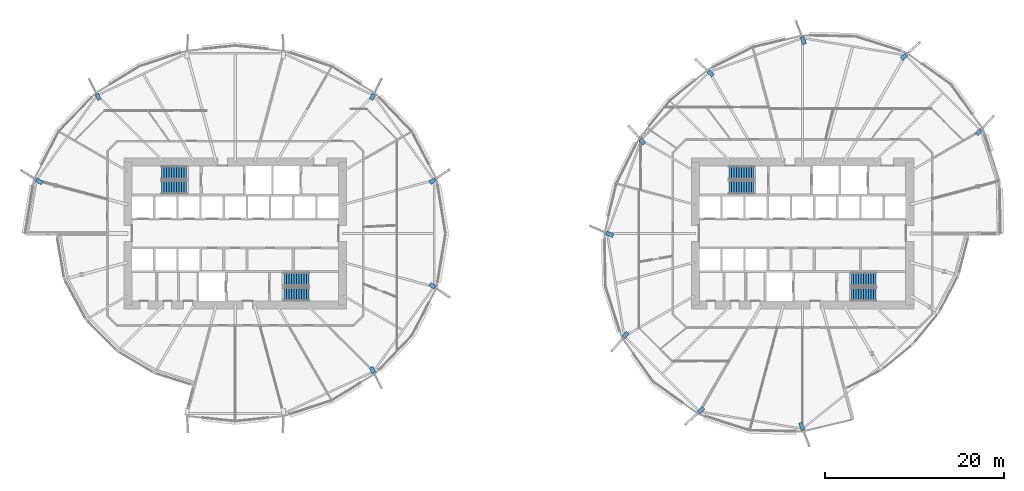
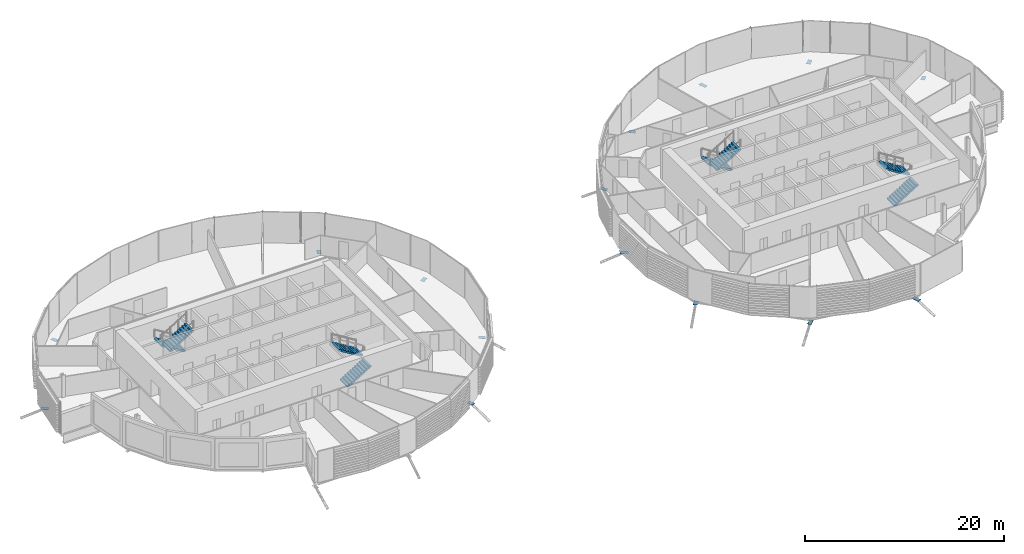
# One storey, part 26 of 38: 15 discrete accessories, 8 stair flights, 4 elements without a shape of their own.
"""IFC4 building model written with IfcOpenShell, lengths in metres."""

from ifc_helpers import new_model, si_unit, direction, frame, origin, origin_2d, place, context, subcontext, project, spatial, polyline, rectangle, outline, extrude, material, material_profile, profile_set, type_object, element, aggregate, save


model = new_model("IFC4")

# Units and contexts
model_context = context("Model", 3, precision=1e-05, world=origin(), true_north=direction((0.0, 1.0)))
body_context = subcontext(model_context, "Body", "Model", "MODEL_VIEW")
ifc_project = project(units=[si_unit("LENGTHUNIT", "METRE"), si_unit("AREAUNIT", "SQUARE_METRE"), si_unit("VOLUMEUNIT", "CUBIC_METRE"), si_unit("PLANEANGLEUNIT", "RADIAN"), si_unit("MASSUNIT", "GRAM", prefix="KILO")], contexts=[model_context])

# Site, building, storey
site_placement = place(None, origin())
site = spatial("IfcSite", under=ifc_project, at=site_placement, CompositionType="ELEMENT")
building_placement = place(site_placement, origin())
building = spatial("IfcBuilding", under=site, at=building_placement, Name="Rimbun Link Towers", CompositionType="ELEMENT")
storey_placement = place(building_placement, frame((0.0, 0.0, 68.0)))
storey = spatial("IfcBuildingStorey", under=building, at=storey_placement, Name="L16", CompositionType="ELEMENT", Elevation=68.0)

# Stair, stair flights
ifc_material_1 = material(Name="Concrete C40/50", Category="concrete")
stair_type = type_object("IfcStairType", Name="Exit stair 3800 rise", PredefinedType="HALF_TURN_STAIR", material=ifc_material_1)
stair_1_placement = place(storey_placement, origin())
stair_1 = element("IfcStair", 1, at=stair_1_placement, inside=storey, type_object=stair_type, Name="L16 EXIT STAIR A", PredefinedType="HALF_TURN_STAIR")
ifc_material_2 = material(Name="Concrete C40/50", Category="concrete")
stair_flight_type = type_object("IfcStairFlightType", Name="Exit stair flight 3800 rise", PredefinedType="STRAIGHT", material=ifc_material_2)
stair_flight_1_placement = place(storey_placement, frame((-37.199951171875, 6.800048828125, 0.0), z_axis=(0.0, 0.0, 1.0), x_axis=(-1.0, 0.0, 0.0)))
stair_flight_1 = element("IfcStairFlight", 2, at=stair_flight_1_placement, type_object=stair_flight_type, Name="ST1 flight 1", NumberOfRisers=11, NumberOfTreads=10, PredefinedType="STRAIGHT", RiserHeight=0.172727273, TreadLength=0.28, context=body_context, shape_type="SweptSolid", body=[
    extrude(outline(polyline([(0.0, 0.0), (0.0, 0.172607421875), (0.280029296875, 0.172607421875), (0.280029296875, 0.345458984375), (0.56005859375, 0.345458984375), (0.56005859375, 0.51806640625), (0.840087890625, 0.51806640625), (0.840087890625, 0.69091796875), (1.1201171875, 0.69091796875), (1.1201171875, 0.863525390625), (1.39990234375, 0.863525390625), (1.39990234375, 1.036376953125), (1.679931640625, 1.036376953125), (1.679931640625, 1.208984375), (1.9599609375, 1.208984375), (1.9599609375, 1.3818359375), (2.239990234375, 1.3818359375), (2.239990234375, 1.554443359375), (2.52001953125, 1.554443359375), (2.52001953125, 1.727294921875), (2.800048828125, 1.727294921875), (2.800048828125, 1.89990234375), (2.800048828125, 1.551025390625), (0.280029296875, 0.0), (0.0, 0.0)])), frame((0.0, 0.75, 0.0), z_axis=(0.0, -1.0, 0.0), x_axis=(1.0, 0.0, 0.0)), (0.0, 0.0, 1.0), 1.5),
])
stair_flight_2_placement = place(storey_placement, frame((-40.0, 5.14990234375, 1.89990234375), z_axis=(0.0, 0.0, 1.0), x_axis=(1.0, 0.0, 0.0)))
stair_flight_2 = element("IfcStairFlight", 3, at=stair_flight_2_placement, type_object=stair_flight_type, Name="ST1 flight 2", NumberOfRisers=11, NumberOfTreads=10, PredefinedType="STRAIGHT", RiserHeight=0.172727273, TreadLength=0.28, context=body_context, shape_type="SweptSolid", body=[
    extrude(outline(polyline([(0.0, 0.0), (0.0, 0.172607421875), (0.280029296875, 0.172607421875), (0.280029296875, 0.345458984375), (0.56005859375, 0.345458984375), (0.56005859375, 0.51806640625), (0.840087890625, 0.51806640625), (0.840087890625, 0.69091796875), (1.1201171875, 0.69091796875), (1.1201171875, 0.863525390625), (1.39990234375, 0.863525390625), (1.39990234375, 1.036376953125), (1.679931640625, 1.036376953125), (1.679931640625, 1.208984375), (1.9599609375, 1.208984375), (1.9599609375, 1.3818359375), (2.239990234375, 1.3818359375), (2.239990234375, 1.554443359375), (2.52001953125, 1.554443359375), (2.52001953125, 1.727294921875), (2.800048828125, 1.727294921875), (2.800048828125, 1.89990234375), (2.800048828125, 1.551025390625), (0.280029296875, 0.0), (0.0, 0.0)])), frame((0.0, 0.75, 0.0), z_axis=(0.0, -1.0, 0.0), x_axis=(1.0, 0.0, 0.0)), (0.0, 0.0, 1.0), 1.5),
])
aggregate(stair_1, [stair_flight_1, stair_flight_2])

stair_2_placement = place(storey_placement, origin())
stair_2 = element("IfcStair", 4, at=stair_2_placement, inside=storey, type_object=stair_type, Name="L16 EXIT STAIR B", PredefinedType="HALF_TURN_STAIR")
stair_flight_3_placement = place(storey_placement, frame((-26.300048828125, -6.800048828125, 0.0), z_axis=(0.0, 0.0, 1.0), x_axis=(1.0, 0.0, 0.0)))
stair_flight_3 = element("IfcStairFlight", 5, at=stair_flight_3_placement, type_object=stair_flight_type, Name="ST2 flight 1", NumberOfRisers=11, NumberOfTreads=10, PredefinedType="STRAIGHT", RiserHeight=0.172727273, TreadLength=0.28, context=body_context, shape_type="SweptSolid", body=[
    extrude(outline(polyline([(0.0, 0.0), (0.0, 0.172607421875), (0.280029296875, 0.172607421875), (0.280029296875, 0.345458984375), (0.56005859375, 0.345458984375), (0.56005859375, 0.51806640625), (0.840087890625, 0.51806640625), (0.840087890625, 0.69091796875), (1.1201171875, 0.69091796875), (1.1201171875, 0.863525390625), (1.39990234375, 0.863525390625), (1.39990234375, 1.036376953125), (1.679931640625, 1.036376953125), (1.679931640625, 1.208984375), (1.9599609375, 1.208984375), (1.9599609375, 1.3818359375), (2.239990234375, 1.3818359375), (2.239990234375, 1.554443359375), (2.52001953125, 1.554443359375), (2.52001953125, 1.727294921875), (2.800048828125, 1.727294921875), (2.800048828125, 1.89990234375), (2.800048828125, 1.551025390625), (0.280029296875, 0.0), (0.0, 0.0)])), frame((0.0, 0.75, 0.0), z_axis=(0.0, -1.0, 0.0), x_axis=(1.0, 0.0, 0.0)), (0.0, 0.0, 1.0), 1.5),
])
stair_flight_4_placement = place(storey_placement, frame((-23.5, -5.14990234375, 1.89990234375), z_axis=(0.0, 0.0, 1.0), x_axis=(-1.0, 0.0, 0.0)))
stair_flight_4 = element("IfcStairFlight", 6, at=stair_flight_4_placement, type_object=stair_flight_type, Name="ST2 flight 2", NumberOfRisers=11, NumberOfTreads=10, PredefinedType="STRAIGHT", RiserHeight=0.172727273, TreadLength=0.28, context=body_context, shape_type="SweptSolid", body=[
    extrude(outline(polyline([(0.0, 0.0), (0.0, 0.172607421875), (0.280029296875, 0.172607421875), (0.280029296875, 0.345458984375), (0.56005859375, 0.345458984375), (0.56005859375, 0.51806640625), (0.840087890625, 0.51806640625), (0.840087890625, 0.69091796875), (1.1201171875, 0.69091796875), (1.1201171875, 0.863525390625), (1.39990234375, 0.863525390625), (1.39990234375, 1.036376953125), (1.679931640625, 1.036376953125), (1.679931640625, 1.208984375), (1.9599609375, 1.208984375), (1.9599609375, 1.3818359375), (2.239990234375, 1.3818359375), (2.239990234375, 1.554443359375), (2.52001953125, 1.554443359375), (2.52001953125, 1.727294921875), (2.800048828125, 1.727294921875), (2.800048828125, 1.89990234375), (2.800048828125, 1.551025390625), (0.280029296875, 0.0), (0.0, 0.0)])), frame((0.0, 0.75, 0.0), z_axis=(0.0, -1.0, 0.0), x_axis=(1.0, 0.0, 0.0)), (0.0, 0.0, 1.0), 1.5),
])
aggregate(stair_2, [stair_flight_3, stair_flight_4])

stair_3_placement = place(storey_placement, origin())
stair_3 = element("IfcStair", 7, at=stair_3_placement, inside=storey, type_object=stair_type, Name="L16 EXIT STAIR A", PredefinedType="HALF_TURN_STAIR")
stair_flight_5_placement = place(storey_placement, frame((26.300048828125, 6.800048828125, 0.0), z_axis=(0.0, 0.0, 1.0), x_axis=(-1.0, 0.0, 0.0)))
stair_flight_5 = element("IfcStairFlight", 8, at=stair_flight_5_placement, type_object=stair_flight_type, Name="ST3 flight 1", NumberOfRisers=11, NumberOfTreads=10, PredefinedType="STRAIGHT", RiserHeight=0.172727273, TreadLength=0.28, context=body_context, shape_type="SweptSolid", body=[
    extrude(outline(polyline([(0.0, 0.0), (0.0, 0.172607421875), (0.280029296875, 0.172607421875), (0.280029296875, 0.345458984375), (0.56005859375, 0.345458984375), (0.56005859375, 0.51806640625), (0.840087890625, 0.51806640625), (0.840087890625, 0.69091796875), (1.1201171875, 0.69091796875), (1.1201171875, 0.863525390625), (1.39990234375, 0.863525390625), (1.39990234375, 1.036376953125), (1.679931640625, 1.036376953125), (1.679931640625, 1.208984375), (1.9599609375, 1.208984375), (1.9599609375, 1.3818359375), (2.239990234375, 1.3818359375), (2.239990234375, 1.554443359375), (2.52001953125, 1.554443359375), (2.52001953125, 1.727294921875), (2.800048828125, 1.727294921875), (2.800048828125, 1.89990234375), (2.800048828125, 1.551025390625), (0.280029296875, 0.0), (0.0, 0.0)])), frame((0.0, 0.75, 0.0), z_axis=(0.0, -1.0, 0.0), x_axis=(1.0, 0.0, 0.0)), (0.0, 0.0, 1.0), 1.5),
])
stair_flight_6_placement = place(storey_placement, frame((23.5, 5.14990234375, 1.89990234375), z_axis=(0.0, 0.0, 1.0), x_axis=(1.0, 0.0, 0.0)))
stair_flight_6 = element("IfcStairFlight", 9, at=stair_flight_6_placement, type_object=stair_flight_type, Name="ST3 flight 2", NumberOfRisers=11, NumberOfTreads=10, PredefinedType="STRAIGHT", RiserHeight=0.172727273, TreadLength=0.28, context=body_context, shape_type="SweptSolid", body=[
    extrude(outline(polyline([(0.0, 0.0), (0.0, 0.172607421875), (0.280029296875, 0.172607421875), (0.280029296875, 0.345458984375), (0.56005859375, 0.345458984375), (0.56005859375, 0.51806640625), (0.840087890625, 0.51806640625), (0.840087890625, 0.69091796875), (1.1201171875, 0.69091796875), (1.1201171875, 0.863525390625), (1.39990234375, 0.863525390625), (1.39990234375, 1.036376953125), (1.679931640625, 1.036376953125), (1.679931640625, 1.208984375), (1.9599609375, 1.208984375), (1.9599609375, 1.3818359375), (2.239990234375, 1.3818359375), (2.239990234375, 1.554443359375), (2.52001953125, 1.554443359375), (2.52001953125, 1.727294921875), (2.800048828125, 1.727294921875), (2.800048828125, 1.89990234375), (2.800048828125, 1.551025390625), (0.280029296875, 0.0), (0.0, 0.0)])), frame((0.0, 0.75, 0.0), z_axis=(0.0, -1.0, 0.0), x_axis=(1.0, 0.0, 0.0)), (0.0, 0.0, 1.0), 1.5),
])
aggregate(stair_3, [stair_flight_5, stair_flight_6])

stair_4_placement = place(storey_placement, origin())
stair_4 = element("IfcStair", 10, at=stair_4_placement, inside=storey, type_object=stair_type, Name="L16 EXIT STAIR B", PredefinedType="HALF_TURN_STAIR")
stair_flight_7_placement = place(storey_placement, frame((37.199951171875, -6.800048828125, 0.0), z_axis=(0.0, 0.0, 1.0), x_axis=(1.0, 0.0, 0.0)))
stair_flight_7 = element("IfcStairFlight", 11, at=stair_flight_7_placement, type_object=stair_flight_type, Name="ST4 flight 1", NumberOfRisers=11, NumberOfTreads=10, PredefinedType="STRAIGHT", RiserHeight=0.172727273, TreadLength=0.28, context=body_context, shape_type="SweptSolid", body=[
    extrude(outline(polyline([(0.0, 0.0), (0.0, 0.172607421875), (0.280029296875, 0.172607421875), (0.280029296875, 0.345458984375), (0.56005859375, 0.345458984375), (0.56005859375, 0.51806640625), (0.840087890625, 0.51806640625), (0.840087890625, 0.69091796875), (1.1201171875, 0.69091796875), (1.1201171875, 0.863525390625), (1.39990234375, 0.863525390625), (1.39990234375, 1.036376953125), (1.679931640625, 1.036376953125), (1.679931640625, 1.208984375), (1.9599609375, 1.208984375), (1.9599609375, 1.3818359375), (2.239990234375, 1.3818359375), (2.239990234375, 1.554443359375), (2.52001953125, 1.554443359375), (2.52001953125, 1.727294921875), (2.800048828125, 1.727294921875), (2.800048828125, 1.89990234375), (2.800048828125, 1.551025390625), (0.280029296875, 0.0), (0.0, 0.0)])), frame((0.0, 0.75, 0.0), z_axis=(0.0, -1.0, 0.0), x_axis=(1.0, 0.0, 0.0)), (0.0, 0.0, 1.0), 1.5),
])
stair_flight_8_placement = place(storey_placement, frame((40.0, -5.14990234375, 1.89990234375), z_axis=(0.0, 0.0, 1.0), x_axis=(-1.0, 0.0, 0.0)))
stair_flight_8 = element("IfcStairFlight", 12, at=stair_flight_8_placement, type_object=stair_flight_type, Name="ST4 flight 2", NumberOfRisers=11, NumberOfTreads=10, PredefinedType="STRAIGHT", RiserHeight=0.172727273, TreadLength=0.28, context=body_context, shape_type="SweptSolid", body=[
    extrude(outline(polyline([(0.0, 0.0), (0.0, 0.172607421875), (0.280029296875, 0.172607421875), (0.280029296875, 0.345458984375), (0.56005859375, 0.345458984375), (0.56005859375, 0.51806640625), (0.840087890625, 0.51806640625), (0.840087890625, 0.69091796875), (1.1201171875, 0.69091796875), (1.1201171875, 0.863525390625), (1.39990234375, 0.863525390625), (1.39990234375, 1.036376953125), (1.679931640625, 1.036376953125), (1.679931640625, 1.208984375), (1.9599609375, 1.208984375), (1.9599609375, 1.3818359375), (2.239990234375, 1.3818359375), (2.239990234375, 1.554443359375), (2.52001953125, 1.554443359375), (2.52001953125, 1.727294921875), (2.800048828125, 1.727294921875), (2.800048828125, 1.89990234375), (2.800048828125, 1.551025390625), (0.280029296875, 0.0), (0.0, 0.0)])), frame((0.0, 0.75, 0.0), z_axis=(0.0, -1.0, 0.0), x_axis=(1.0, 0.0, 0.0)), (0.0, 0.0, 1.0), 1.5),
])
aggregate(stair_4, [stair_flight_7, stair_flight_8])

# Discrete accessories
ifc_material_3 = material(Name="Steel S355J2H", Category="steel")
ifc_material_profile = material_profile(ifc_material_3, rectangle(XDim=0.43310546875, YDim=0.43310546875, at=origin_2d()), Name="PL 433x433")
ifc_profile_set = profile_set([ifc_material_profile], Name="Steel S355J2H")
discrete_accessory_type = type_object("IfcDiscreteAccessoryType", Name="Link head end plate 433X20", PredefinedType="BRACKET", material=ifc_profile_set)
discrete_accessory_1_placement = place(storey_placement, frame((0.0, 0.0, -0.713134765625)))
element("IfcDiscreteAccessory", 13, at=discrete_accessory_1_placement, inside=storey, type_object=discrete_accessory_type, Name="Link head end plate T1 L16 01", PredefinedType="BRACKET", context=body_context, shape_type="SweptSolid", body=[
    extrude(outline(polyline([(-9.841552734375, 5.484130859375), (-9.2685546875, 5.87548828125), (-9.512939453125, 6.23291015625), (-10.085693359375, 5.841552734375), (-9.841552734375, 5.484130859375)])), origin(), (0.0, 0.0, 1.0), 0.02001953125),
])
discrete_accessory_2_placement = place(storey_placement, frame((0.0, 0.0, -0.713134765625)))
element("IfcDiscreteAccessory", 14, at=discrete_accessory_2_placement, inside=storey, type_object=discrete_accessory_type, Name="Link head end plate T1 L16 03", PredefinedType="BRACKET", context=body_context, shape_type="SweptSolid", body=[
    extrude(outline(polyline([(-16.35205078125, 14.880615234375), (-16.043701171875, 15.498779296875), (-16.430908203125, 15.69189453125), (-16.739501953125, 15.07373046875), (-16.35205078125, 14.880615234375)])), origin(), (0.0, 0.0, 1.0), 0.02001953125),
])
discrete_accessory_3_placement = place(storey_placement, frame((0.0, 0.0, -0.713134765625)))
element("IfcDiscreteAccessory", 15, at=discrete_accessory_3_placement, inside=storey, type_object=discrete_accessory_type, Name="Link head end plate T1 L16 09", PredefinedType="BRACKET", context=body_context, shape_type="SweptSolid", body=[
    extrude(outline(polyline([(-46.760498046875, 15.07373046875), (-47.069091796875, 15.69189453125), (-47.456298828125, 15.498779296875), (-47.14794921875, 14.880615234375), (-46.760498046875, 15.07373046875)])), origin(), (0.0, 0.0, 1.0), 0.02001953125),
])
discrete_accessory_4_placement = place(storey_placement, frame((0.0, 0.0, -1.098388671875)))
element("IfcDiscreteAccessory", 16, at=discrete_accessory_4_placement, inside=storey, type_object=discrete_accessory_type, Name="Link head end plate T1 L16 11", PredefinedType="BRACKET", context=body_context, shape_type="SweptSolid", body=[
    extrude(outline(polyline([(-53.25732421875, 5.808349609375), (-53.9130859375, 6.206298828125), (-54.1376953125, 5.836181640625), (-53.482177734375, 5.438232421875), (-53.25732421875, 5.808349609375)])), origin(), (0.0, 0.0, 1.0), 0.02001953125),
])
discrete_accessory_5_placement = place(storey_placement, frame((0.0, 0.0, -0.713134765625)))
element("IfcDiscreteAccessory", 17, at=discrete_accessory_5_placement, inside=storey, type_object=discrete_accessory_type, Name="Link head end plate T1 L16 21", PredefinedType="BRACKET", context=body_context, shape_type="SweptSolid", body=[
    extrude(outline(polyline([(-16.739501953125, -15.07373046875), (-16.430908203125, -15.69189453125), (-16.043701171875, -15.498779296875), (-16.35205078125, -14.880615234375), (-16.739501953125, -15.07373046875)])), origin(), (0.0, 0.0, 1.0), 0.02001953125),
])
discrete_accessory_6_placement = place(storey_placement, frame((0.0, 0.0, -0.713134765625)))
element("IfcDiscreteAccessory", 18, at=discrete_accessory_6_placement, inside=storey, type_object=discrete_accessory_type, Name="Link head end plate T1 L16 23", PredefinedType="BRACKET", context=body_context, shape_type="SweptSolid", body=[
    extrude(outline(polyline([(-10.085693359375, -5.841552734375), (-9.512939453125, -6.23291015625), (-9.2685546875, -5.87548828125), (-9.841552734375, -5.484130859375), (-10.085693359375, -5.841552734375)])), origin(), (0.0, 0.0, 1.0), 0.02001953125),
])
discrete_accessory_7_placement = place(storey_placement, frame((0.0, 0.0, -0.942138671875)))
element("IfcDiscreteAccessory", 19, at=discrete_accessory_7_placement, inside=storey, type_object=discrete_accessory_type, Name="Link head end plate T2 L16 01", PredefinedType="BRACKET", context=body_context, shape_type="SweptSolid", body=[
    extrude(outline(polyline([(42.977783203125, 19.375), (43.52587890625, 19.872802734375), (43.23486328125, 20.193359375), (42.6865234375, 19.69580078125), (42.977783203125, 19.375)])), origin(), (0.0, 0.0, 1.0), 0.02001953125),
])
discrete_accessory_8_placement = place(storey_placement, frame((0.0, 0.0, -0.942138671875)))
element("IfcDiscreteAccessory", 20, at=discrete_accessory_8_placement, inside=storey, type_object=discrete_accessory_type, Name="Link head end plate T2 L16 03", PredefinedType="BRACKET", context=body_context, shape_type="SweptSolid", body=[
    extrude(outline(polyline([(32.190185546875, 21.272216796875), (31.88818359375, 22.068115234375), (31.4833984375, 21.91455078125), (31.785400390625, 21.118408203125), (32.190185546875, 21.272216796875)])), origin(), (0.0, 0.0, 1.0), 0.02001953125),
])
discrete_accessory_9_placement = place(storey_placement, frame((0.0, 0.0, -0.78271484375)))
element("IfcDiscreteAccessory", 21, at=discrete_accessory_9_placement, inside=storey, type_object=discrete_accessory_type, Name="Link head end plate T2 L16 05", PredefinedType="BRACKET", context=body_context, shape_type="SweptSolid", body=[
    extrude(outline(polyline([(21.873046875, 17.83251953125), (21.35302734375, 18.312255859375), (21.059326171875, 17.994140625), (21.5791015625, 17.51416015625), (21.873046875, 17.83251953125)])), origin(), (0.0, 0.0, 1.0), 0.02001953125),
])
discrete_accessory_10_placement = place(storey_placement, frame((0.0, 0.0, -0.534912109375)))
element("IfcDiscreteAccessory", 22, at=discrete_accessory_10_placement, inside=storey, type_object=discrete_accessory_type, Name="Link head end plate T2 L16 07", PredefinedType="BRACKET", context=body_context, shape_type="SweptSolid", body=[
    extrude(outline(polyline([(14.208984375, 10.181396484375), (13.761962890625, 10.690673828125), (13.4365234375, 10.405029296875), (13.88330078125, 9.89599609375), (14.208984375, 10.181396484375)])), origin(), (0.0, 0.0, 1.0), 0.02001953125),
])
discrete_accessory_11_placement = place(storey_placement, frame((0.0, 0.0, -0.713134765625)))
element("IfcDiscreteAccessory", 23, at=discrete_accessory_11_placement, inside=storey, type_object=discrete_accessory_type, Name="Link head end plate T2 L16 09", PredefinedType="BRACKET", context=body_context, shape_type="SweptSolid", body=[
    extrude(outline(polyline([(10.626708984375, -0.06640625), (9.847900390625, 0.2705078125), (9.67578125, -0.126708984375), (10.454833984375, -0.4638671875), (10.626708984375, -0.06640625)])), origin(), (0.0, 0.0, 1.0), 0.02001953125),
])
discrete_accessory_12_placement = place(storey_placement, frame((0.0, 0.0, -0.713134765625)))
element("IfcDiscreteAccessory", 24, at=discrete_accessory_12_placement, inside=storey, type_object=discrete_accessory_type, Name="Link head end plate T2 L16 11", PredefinedType="BRACKET", context=body_context, shape_type="SweptSolid", body=[
    extrude(outline(polyline([(12.018798828125, -10.956298828125), (11.555908203125, -11.49267578125), (11.883544921875, -11.775634765625), (12.3466796875, -11.2392578125), (12.018798828125, -10.956298828125)])), origin(), (0.0, 0.0, 1.0), 0.02001953125),
])
discrete_accessory_13_placement = place(storey_placement, frame((0.0, 0.0, -0.942138671875)))
element("IfcDiscreteAccessory", 25, at=discrete_accessory_13_placement, inside=storey, type_object=discrete_accessory_type, Name="Link head end plate T2 L16 13", PredefinedType="BRACKET", context=body_context, shape_type="SweptSolid", body=[
    extrude(outline(polyline([(20.522216796875, -19.375), (19.97412109375, -19.872802734375), (20.26513671875, -20.193359375), (20.8134765625, -19.69580078125), (20.522216796875, -19.375)])), origin(), (0.0, 0.0, 1.0), 0.02001953125),
])
discrete_accessory_14_placement = place(storey_placement, frame((0.0, 0.0, -0.942138671875)))
element("IfcDiscreteAccessory", 26, at=discrete_accessory_14_placement, inside=storey, type_object=discrete_accessory_type, Name="Link head end plate T2 L16 15", PredefinedType="BRACKET", context=body_context, shape_type="SweptSolid", body=[
    extrude(outline(polyline([(31.309814453125, -21.272216796875), (31.61181640625, -22.068115234375), (32.0166015625, -21.91455078125), (31.714599609375, -21.118408203125), (31.309814453125, -21.272216796875)])), origin(), (0.0, 0.0, 1.0), 0.02001953125),
])
discrete_accessory_15_placement = place(storey_placement, frame((0.0, 0.0, -0.713134765625)))
element("IfcDiscreteAccessory", 27, at=discrete_accessory_15_placement, inside=storey, type_object=discrete_accessory_type, Name="Link head end plate T2 L16 23", PredefinedType="BRACKET", context=body_context, shape_type="SweptSolid", body=[
    extrude(outline(polyline([(51.394775390625, 10.927734375), (51.864501953125, 11.437744140625), (51.546142578125, 11.731201171875), (51.076171875, 11.22119140625), (51.394775390625, 10.927734375)])), origin(), (0.0, 0.0, 1.0), 0.02001953125),
])

save(model, "model.ifc")
